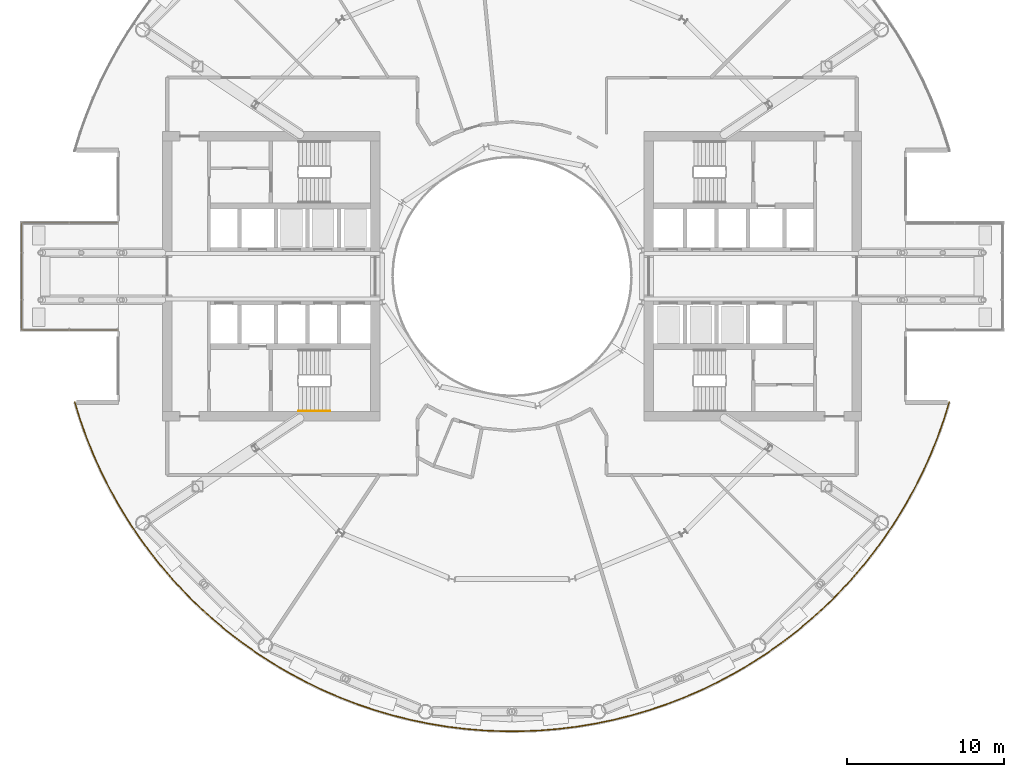
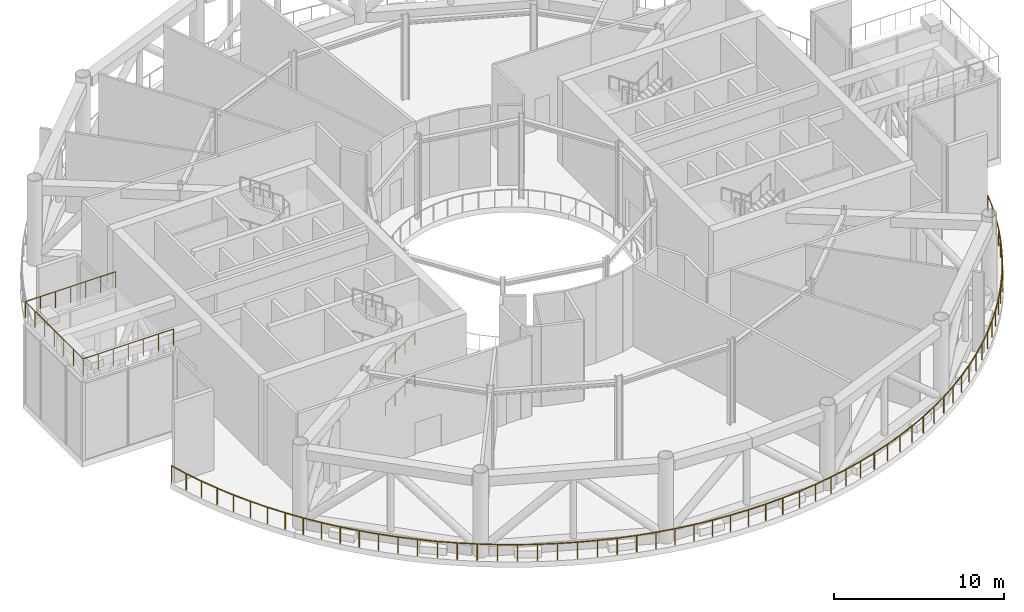
# One storey, part 20 of 25: 4 railings.
"""IFC4 building model written with IfcOpenShell, lengths in metres."""

from ifc_helpers import new_model, si_unit, direction, frame, origin, origin_2d, place, context, subcontext, project, spatial, circle, extrude, material, type_object, element, save


model = new_model("IFC4")

# Units and contexts
model_context = context("Model", 3, precision=1e-05, world=origin(), true_north=direction((0.0, 1.0)))
body_context = subcontext(model_context, "Body", "Model", "MODEL_VIEW")
ifc_project = project(units=[si_unit("LENGTHUNIT", "METRE"), si_unit("AREAUNIT", "SQUARE_METRE"), si_unit("VOLUMEUNIT", "CUBIC_METRE"), si_unit("PLANEANGLEUNIT", "RADIAN"), si_unit("MASSUNIT", "GRAM", prefix="KILO")], contexts=[model_context])

# Site, building, storey
site_placement = place(None, origin())
site = spatial("IfcSite", under=ifc_project, at=site_placement, CompositionType="ELEMENT")
building_placement = place(site_placement, origin())
building = spatial("IfcBuilding", under=site, at=building_placement, Name="Maasbend Ring Residences", CompositionType="ELEMENT")
storey_placement = place(building_placement, frame((0.0, 0.0, 139.10009765625)))
storey = spatial("IfcBuildingStorey", under=building, at=storey_placement, Name="L40", CompositionType="ELEMENT", Elevation=139.10009765625)

# Railings
ifc_material_1 = material(Name="Stainless steel 316 and glass", Category="steel")
railing_type_1 = type_object("IfcRailingType", Name="RL-GUARD", PredefinedType="GUARDRAIL", material=ifc_material_1)
railing_1_placement = place(storey_placement, frame((-27.778564453125, -7.972412109375, 0.0)))
element("IfcRailing", 1, at=railing_1_placement, inside=storey, type_object=railing_type_1, Name="Garden guard outer 2", PredefinedType="GUARDRAIL", context=body_context, shape_type="SweptSolid", body=[
    extrude(circle(Radius=0.02490234375, at=origin_2d()), frame((0.0, 0.0, 1.1748046875), z_axis=(0.295504624123, -0.95534130923, 0.0), x_axis=(0.95534130923, 0.295504624123, 0.0)), (0.0, 0.0, 1.0), 1.184814453125),
    extrude(circle(Radius=0.02490234375, at=origin_2d()), frame((0.35009765625, -1.1318359375, 1.1748046875), z_axis=(0.334285842511, -0.94247173724, 0.0), x_axis=(0.94247173724, 0.334285842511, 0.0)), (0.0, 0.0, 1.0), 1.1845703125),
    extrude(circle(Radius=0.02490234375, at=origin_2d()), frame((0.74609375, -2.248291015625, 1.1748046875), z_axis=(0.372847180885, -0.927892763042, 0.0), x_axis=(0.927892763042, 0.372847180885, 0.0)), (0.0, 0.0, 1.0), 1.1845703125),
    extrude(circle(Radius=0.02490234375, at=origin_2d()), frame((1.187744140625, -3.347412109375, 1.1748046875), z_axis=(0.410493199792, -0.911863659175, 0.0), x_axis=(0.911863659175, 0.410493199792, 0.0)), (0.0, 0.0, 1.0), 1.184814453125),
    extrude(circle(Radius=0.02490234375, at=origin_2d()), frame((1.674072265625, -4.427734375, 1.1748046875), z_axis=(0.447460908245, -0.894303491882, 0.0), x_axis=(0.894303491882, 0.447460908245, 0.0)), (0.0, 0.0, 1.0), 1.1845703125),
    extrude(circle(Radius=0.02490234375, at=origin_2d()), frame((2.2041015625, -5.487060546875, 1.1748046875), z_axis=(0.483839805506, -0.875156581766, 0.0), x_axis=(0.875156581766, 0.483839805506, 0.0)), (0.0, 0.0, 1.0), 1.184814453125),
    extrude(circle(Radius=0.02490234375, at=origin_2d()), frame((2.77734375, -6.52392578125, 1.1748046875), z_axis=(0.51915559987, -0.854679743017, 0.0), x_axis=(0.854679743017, 0.51915559987, 0.0)), (0.0, 0.0, 1.0), 1.1845703125),
    extrude(circle(Radius=0.02490234375, at=origin_2d()), frame((3.392333984375, -7.536376953125, 1.1748046875), z_axis=(0.553796190877, -0.832652255729, 0.0), x_axis=(0.832652255729, 0.553796190877, 0.0)), (0.0, 0.0, 1.0), 1.1845703125),
    extrude(circle(Radius=0.02490234375, at=origin_2d()), frame((4.04833984375, -8.522705078125, 1.1748046875), z_axis=(0.58749759803, -0.809225909317, 0.0), x_axis=(0.809225909317, 0.58749759803, 0.0)), (0.0, 0.0, 1.0), 1.184814453125),
    extrude(circle(Radius=0.02490234375, at=origin_2d()), frame((4.744384765625, -9.4814453125, 1.1748046875), z_axis=(0.620185444157, -0.78445523445, 0.0), x_axis=(0.78445523445, 0.620185444157, 0.0)), (0.0, 0.0, 1.0), 1.1845703125),
    extrude(circle(Radius=0.02490234375, at=origin_2d()), frame((5.47900390625, -10.41064453125, 1.1748046875), z_axis=(0.65182600946, -0.758368547206, 0.0), x_axis=(0.758368547206, 0.65182600946, 0.0)), (0.0, 0.0, 1.0), 1.184814453125),
    extrude(circle(Radius=0.02490234375, at=origin_2d()), frame((6.251220703125, -11.30908203125, 1.1748046875), z_axis=(0.682156690758, -0.731206023809, 0.0), x_axis=(0.731206023809, 0.682156690758, 0.0)), (0.0, 0.0, 1.0), 1.1845703125),
    extrude(circle(Radius=0.02490234375, at=origin_2d()), frame((7.059326171875, -12.17529296875, 1.1748046875), z_axis=(0.711830937603, -0.702350849841, 0.0), x_axis=(0.702350849841, 0.711830937603, 0.0)), (0.0, 0.0, 1.0), 1.1845703125),
    extrude(circle(Radius=0.02490234375, at=origin_2d()), frame((7.902587890625, -13.00732421875, 1.1748046875), z_axis=(0.739800189204, -0.672826634471, 0.0), x_axis=(0.672826634471, 0.739800189204, 0.0)), (0.0, 0.0, 1.0), 1.184814453125),
    extrude(circle(Radius=0.02490234375, at=origin_2d()), frame((8.779052734375, -13.804443359375, 1.1748046875), z_axis=(0.766885051085, -0.641784479731, 0.0), x_axis=(0.641784479731, 0.766885051085, 0.0)), (0.0, 0.0, 1.0), 1.1845703125),
    extrude(circle(Radius=0.02490234375, at=origin_2d()), frame((9.6875, -14.564697265625, 1.1748046875), z_axis=(0.792493715501, -0.609880079107, 0.0), x_axis=(0.609880079107, 0.792493715501, 0.0)), (0.0, 0.0, 1.0), 1.1845703125),
    extrude(circle(Radius=0.02490234375, at=origin_2d()), frame((10.626220703125, -15.287109375, 1.1748046875), z_axis=(0.816785089041, -0.576942040695, 0.0), x_axis=(0.576942040695, 0.816785089041, 0.0)), (0.0, 0.0, 1.0), 1.184814453125),
    extrude(circle(Radius=0.02490234375, at=origin_2d()), frame((11.593994140625, -15.970703125, 1.1748046875), z_axis=(0.839829939632, -0.542849585519, 0.0), x_axis=(0.542849585519, 0.839829939632, 0.0)), (0.0, 0.0, 1.0), 1.1845703125),
    extrude(circle(Radius=0.02490234375, at=origin_2d()), frame((12.5888671875, -16.61376953125, 1.1748046875), z_axis=(0.861324276781, -0.508055597575, 0.0), x_axis=(0.508055597575, 0.861324276781, 0.0)), (0.0, 0.0, 1.0), 1.1845703125),
    extrude(circle(Radius=0.02490234375, at=origin_2d()), frame((13.609130859375, -17.215576171875, 1.1748046875), z_axis=(0.881415624836, -0.472341503887, 0.0), x_axis=(0.472341503887, 0.881415624836, 0.0)), (0.0, 0.0, 1.0), 1.1845703125),
    extrude(circle(Radius=0.02490234375, at=origin_2d()), frame((14.6533203125, -17.775146484375, 1.1748046875), z_axis=(0.900002799964, -0.435884113104, 0.0), x_axis=(0.435884113104, 0.900002799964, 0.0)), (0.0, 0.0, 1.0), 1.1845703125),
    extrude(circle(Radius=0.02490234375, at=origin_2d()), frame((15.719482421875, -18.29150390625, 1.1748046875), z_axis=(0.917129024526, -0.398590456951, 0.0), x_axis=(0.398590456951, 0.917129024526, 0.0)), (0.0, 0.0, 1.0), 1.1845703125),
    extrude(circle(Radius=0.02490234375, at=origin_2d()), frame((16.805908203125, -18.763671875, 1.1748046875), z_axis=(0.932706782024, -0.360635631582, 0.0), x_axis=(0.360635631582, 0.932706782024, 0.0)), (0.0, 0.0, 1.0), 1.184814453125),
    extrude(circle(Radius=0.02490234375, at=origin_2d()), frame((17.910888671875, -19.19091796875, 1.1748046875), z_axis=(0.946770232419, -0.321910122559, 0.0), x_axis=(0.321910122559, 0.946770232419, 0.0)), (0.0, 0.0, 1.0), 1.1845703125),
    extrude(circle(Radius=0.02490234375, at=origin_2d()), frame((19.032470703125, -19.572265625, 1.1748046875), z_axis=(0.959076230705, -0.283147989039, 0.0), x_axis=(0.283147989039, 0.959076230705, 0.0)), (0.0, 0.0, 1.0), 1.184814453125),
    extrude(circle(Radius=0.02490234375, at=origin_2d()), frame((20.168701171875, -19.90771484375, 1.1748046875), z_axis=(0.969923880017, -0.243408436528, 0.0), x_axis=(0.243408436528, 0.969923880017, 0.0)), (0.0, 0.0, 1.0), 1.1845703125),
    extrude(circle(Radius=0.02490234375, at=origin_2d()), frame((21.317626953125, -20.196044921875, 1.1748046875), z_axis=(0.979054075839, -0.203600384536, 0.0), x_axis=(0.203600384536, 0.979054075839, 0.0)), (0.0, 0.0, 1.0), 1.184814453125),
    extrude(circle(Radius=0.02490234375, at=origin_2d()), frame((22.4775390625, -20.437255859375, 1.1748046875), z_axis=(0.986588187234, -0.163229129787, 0.0), x_axis=(0.163229129787, 0.986588187234, 0.0)), (0.0, 0.0, 1.0), 1.1845703125),
    extrude(circle(Radius=0.02490234375, at=origin_2d()), frame((23.646240234375, -20.630615234375, 1.1748046875), z_axis=(0.992454401235, -0.122614279222, 0.0), x_axis=(0.122614279222, 0.992454401235, 0.0)), (0.0, 0.0, 1.0), 1.184814453125),
    extrude(circle(Radius=0.02490234375, at=origin_2d()), frame((24.822021484375, -20.77587890625, 1.1748046875), z_axis=(0.996630509683, -0.082022113907, 0.0), x_axis=(0.082022113907, 0.996630509683, 0.0)), (0.0, 0.0, 1.0), 1.1845703125),
    extrude(circle(Radius=0.02490234375, at=origin_2d()), frame((26.002685546875, -20.873046875, 1.1748046875), z_axis=(0.999158599932, -0.041013317118, 0.0), x_axis=(0.041013317118, 0.999158599932, 0.0)), (0.0, 0.0, 1.0), 1.1845703125),
    extrude(circle(Radius=0.02490234375, at=origin_2d()), frame((27.186279296875, -20.921630859375, 1.1748046875), z_axis=(1.0, 0.0, 0.0), x_axis=(0.0, 1.0, 0.0)), (0.0, 0.0, 1.0), 1.1845703125),
    extrude(circle(Radius=0.02490234375, at=origin_2d()), frame((28.370849609375, -20.921630859375, 1.1748046875), z_axis=(0.999158599932, 0.041013317118, 0.0), x_axis=(-0.041013317118, 0.999158599932, 0.0)), (0.0, 0.0, 1.0), 1.1845703125),
    extrude(circle(Radius=0.02490234375, at=origin_2d()), frame((29.554443359375, -20.873046875, 1.1748046875), z_axis=(0.996630509683, 0.082022113907, 0.0), x_axis=(-0.082022113907, 0.996630509683, 0.0)), (0.0, 0.0, 1.0), 1.1845703125),
    extrude(circle(Radius=0.02490234375, at=origin_2d()), frame((30.735107421875, -20.77587890625, 1.1748046875), z_axis=(0.992454401235, 0.122614279222, 0.0), x_axis=(-0.122614279222, 0.992454401235, 0.0)), (0.0, 0.0, 1.0), 1.184814453125),
    extrude(circle(Radius=0.02490234375, at=origin_2d()), frame((31.910888671875, -20.630615234375, 1.1748046875), z_axis=(0.986588187234, 0.163229129787, 0.0), x_axis=(-0.163229129787, 0.986588187234, 0.0)), (0.0, 0.0, 1.0), 1.1845703125),
    extrude(circle(Radius=0.02490234375, at=origin_2d()), frame((33.07958984375, -20.437255859375, 1.1748046875), z_axis=(0.979054075839, 0.203600384536, 0.0), x_axis=(-0.203600384536, 0.979054075839, 0.0)), (0.0, 0.0, 1.0), 1.184814453125),
    extrude(circle(Radius=0.02490234375, at=origin_2d()), frame((34.239501953125, -20.196044921875, 1.1748046875), z_axis=(0.969923880017, 0.243408436528, 0.0), x_axis=(-0.243408436528, 0.969923880017, 0.0)), (0.0, 0.0, 1.0), 1.1845703125),
    extrude(circle(Radius=0.02490234375, at=origin_2d()), frame((35.388427734375, -19.90771484375, 1.1748046875), z_axis=(0.959076230705, 0.283147989039, 0.0), x_axis=(-0.283147989039, 0.959076230705, 0.0)), (0.0, 0.0, 1.0), 1.184814453125),
    extrude(circle(Radius=0.02490234375, at=origin_2d()), frame((36.524658203125, -19.572265625, 1.1748046875), z_axis=(0.946770232419, 0.321910122559, 0.0), x_axis=(-0.321910122559, 0.946770232419, 0.0)), (0.0, 0.0, 1.0), 1.1845703125),
    extrude(circle(Radius=0.02490234375, at=origin_2d()), frame((37.646240234375, -19.19091796875, 1.1748046875), z_axis=(0.932706782024, 0.360635631582, 0.0), x_axis=(-0.360635631582, 0.932706782024, 0.0)), (0.0, 0.0, 1.0), 1.184814453125),
    extrude(circle(Radius=0.02490234375, at=origin_2d()), frame((38.751220703125, -18.763671875, 1.1748046875), z_axis=(0.917129024526, 0.398590456951, 0.0), x_axis=(-0.398590456951, 0.917129024526, 0.0)), (0.0, 0.0, 1.0), 1.1845703125),
    extrude(circle(Radius=0.02490234375, at=origin_2d()), frame((39.837646484375, -18.29150390625, 1.1748046875), z_axis=(0.900002799964, 0.435884113104, 0.0), x_axis=(-0.435884113104, 0.900002799964, 0.0)), (0.0, 0.0, 1.0), 1.1845703125),
    extrude(circle(Radius=0.02490234375, at=origin_2d()), frame((40.90380859375, -17.775146484375, 1.1748046875), z_axis=(0.881415624836, 0.472341503887, 0.0), x_axis=(-0.472341503887, 0.881415624836, 0.0)), (0.0, 0.0, 1.0), 1.1845703125),
    extrude(circle(Radius=0.02490234375, at=origin_2d()), frame((41.947998046875, -17.215576171875, 1.1748046875), z_axis=(0.861324276781, 0.508055597575, 0.0), x_axis=(-0.508055597575, 0.861324276781, 0.0)), (0.0, 0.0, 1.0), 1.1845703125),
    extrude(circle(Radius=0.02490234375, at=origin_2d()), frame((42.96826171875, -16.61376953125, 1.1748046875), z_axis=(0.839829939632, 0.542849585519, 0.0), x_axis=(-0.542849585519, 0.839829939632, 0.0)), (0.0, 0.0, 1.0), 1.1845703125),
    extrude(circle(Radius=0.02490234375, at=origin_2d()), frame((43.963134765625, -15.970703125, 1.1748046875), z_axis=(0.816785089041, 0.576942040695, 0.0), x_axis=(-0.576942040695, 0.816785089041, 0.0)), (0.0, 0.0, 1.0), 1.184814453125),
    extrude(circle(Radius=0.02490234375, at=origin_2d()), frame((44.930908203125, -15.287109375, 1.1748046875), z_axis=(0.792493715501, 0.609880079107, 0.0), x_axis=(-0.609880079107, 0.792493715501, 0.0)), (0.0, 0.0, 1.0), 1.1845703125),
    extrude(circle(Radius=0.02490234375, at=origin_2d()), frame((45.86962890625, -14.564697265625, 1.1748046875), z_axis=(0.766885051085, 0.641784479731, 0.0), x_axis=(-0.641784479731, 0.766885051085, 0.0)), (0.0, 0.0, 1.0), 1.1845703125),
    extrude(circle(Radius=0.02490234375, at=origin_2d()), frame((46.778076171875, -13.804443359375, 1.1748046875), z_axis=(0.739800189204, 0.672826634471, 0.0), x_axis=(-0.672826634471, 0.739800189204, 0.0)), (0.0, 0.0, 1.0), 1.184814453125),
    extrude(circle(Radius=0.02490234375, at=origin_2d()), frame((47.654541015625, -13.00732421875, 1.1748046875), z_axis=(0.711830937603, 0.702350849841, 0.0), x_axis=(-0.702350849841, 0.711830937603, 0.0)), (0.0, 0.0, 1.0), 1.1845703125),
    extrude(circle(Radius=0.02490234375, at=origin_2d()), frame((48.497802734375, -12.17529296875, 1.1748046875), z_axis=(0.682156690758, 0.731206023809, 0.0), x_axis=(-0.731206023809, 0.682156690758, 0.0)), (0.0, 0.0, 1.0), 1.1845703125),
    extrude(circle(Radius=0.02490234375, at=origin_2d()), frame((49.305908203125, -11.30908203125, 1.1748046875), z_axis=(0.65182600946, 0.758368547206, 0.0), x_axis=(-0.758368547206, 0.65182600946, 0.0)), (0.0, 0.0, 1.0), 1.184814453125),
    extrude(circle(Radius=0.02490234375, at=origin_2d()), frame((50.078125, -10.41064453125, 1.1748046875), z_axis=(0.620185444157, 0.78445523445, 0.0), x_axis=(-0.78445523445, 0.620185444157, 0.0)), (0.0, 0.0, 1.0), 1.1845703125),
    extrude(circle(Radius=0.02490234375, at=origin_2d()), frame((50.812744140625, -9.4814453125, 1.1748046875), z_axis=(0.58749759803, 0.809225909317, 0.0), x_axis=(-0.809225909317, 0.58749759803, 0.0)), (0.0, 0.0, 1.0), 1.184814453125),
    extrude(circle(Radius=0.02490234375, at=origin_2d()), frame((51.5087890625, -8.522705078125, 1.1748046875), z_axis=(0.553796190877, 0.832652255729, 0.0), x_axis=(-0.832652255729, 0.553796190877, 0.0)), (0.0, 0.0, 1.0), 1.1845703125),
    extrude(circle(Radius=0.02490234375, at=origin_2d()), frame((52.164794921875, -7.536376953125, 1.1748046875), z_axis=(0.51915559987, 0.854679743017, 0.0), x_axis=(-0.854679743017, 0.51915559987, 0.0)), (0.0, 0.0, 1.0), 1.1845703125),
    extrude(circle(Radius=0.02490234375, at=origin_2d()), frame((52.77978515625, -6.52392578125, 1.1748046875), z_axis=(0.483839805506, 0.875156581766, 0.0), x_axis=(-0.875156581766, 0.483839805506, 0.0)), (0.0, 0.0, 1.0), 1.184814453125),
    extrude(circle(Radius=0.02490234375, at=origin_2d()), frame((53.35302734375, -5.487060546875, 1.1748046875), z_axis=(0.447460908245, 0.894303491882, 0.0), x_axis=(-0.894303491882, 0.447460908245, 0.0)), (0.0, 0.0, 1.0), 1.1845703125),
    extrude(circle(Radius=0.02490234375, at=origin_2d()), frame((53.883056640625, -4.427734375, 1.1748046875), z_axis=(0.410493199792, 0.911863659175, 0.0), x_axis=(-0.911863659175, 0.410493199792, 0.0)), (0.0, 0.0, 1.0), 1.184814453125),
    extrude(circle(Radius=0.02490234375, at=origin_2d()), frame((54.369384765625, -3.347412109375, 1.1748046875), z_axis=(0.372847180885, 0.927892763042, 0.0), x_axis=(-0.927892763042, 0.372847180885, 0.0)), (0.0, 0.0, 1.0), 1.1845703125),
    extrude(circle(Radius=0.02490234375, at=origin_2d()), frame((54.81103515625, -2.248291015625, 1.1748046875), z_axis=(0.334285842511, 0.94247173724, 0.0), x_axis=(-0.94247173724, 0.334285842511, 0.0)), (0.0, 0.0, 1.0), 1.1845703125),
    extrude(circle(Radius=0.02490234375, at=origin_2d()), frame((55.20703125, -1.1318359375, 1.1748046875), z_axis=(0.295504624123, 0.95534130923, 0.0), x_axis=(-0.95534130923, 0.295504624123, 0.0)), (0.0, 0.0, 1.0), 1.184814453125),
    extrude(circle(Radius=0.02001953125, at=origin_2d()), origin(), (0.0, 0.0, 1.0), 1.14990234375),
    extrude(circle(Radius=0.02001953125, at=origin_2d()), frame((0.35009765625, -1.1318359375, 0.0)), (0.0, 0.0, 1.0), 1.14990234375),
    extrude(circle(Radius=0.02001953125, at=origin_2d()), frame((0.74609375, -2.248291015625, 0.0)), (0.0, 0.0, 1.0), 1.14990234375),
    extrude(circle(Radius=0.02001953125, at=origin_2d()), frame((1.187744140625, -3.347412109375, 0.0)), (0.0, 0.0, 1.0), 1.14990234375),
    extrude(circle(Radius=0.02001953125, at=origin_2d()), frame((1.674072265625, -4.427734375, 0.0)), (0.0, 0.0, 1.0), 1.14990234375),
    extrude(circle(Radius=0.02001953125, at=origin_2d()), frame((2.2041015625, -5.487060546875, 0.0)), (0.0, 0.0, 1.0), 1.14990234375),
    extrude(circle(Radius=0.02001953125, at=origin_2d()), frame((2.77734375, -6.52392578125, 0.0)), (0.0, 0.0, 1.0), 1.14990234375),
    extrude(circle(Radius=0.02001953125, at=origin_2d()), frame((3.392333984375, -7.536376953125, 0.0)), (0.0, 0.0, 1.0), 1.14990234375),
    extrude(circle(Radius=0.02001953125, at=origin_2d()), frame((4.04833984375, -8.522705078125, 0.0)), (0.0, 0.0, 1.0), 1.14990234375),
    extrude(circle(Radius=0.02001953125, at=origin_2d()), frame((4.744384765625, -9.4814453125, 0.0)), (0.0, 0.0, 1.0), 1.14990234375),
    extrude(circle(Radius=0.02001953125, at=origin_2d()), frame((5.47900390625, -10.41064453125, 0.0)), (0.0, 0.0, 1.0), 1.14990234375),
    extrude(circle(Radius=0.02001953125, at=origin_2d()), frame((6.251220703125, -11.30908203125, 0.0)), (0.0, 0.0, 1.0), 1.14990234375),
    extrude(circle(Radius=0.02001953125, at=origin_2d()), frame((7.059326171875, -12.17529296875, 0.0)), (0.0, 0.0, 1.0), 1.14990234375),
    extrude(circle(Radius=0.02001953125, at=origin_2d()), frame((7.902587890625, -13.00732421875, 0.0)), (0.0, 0.0, 1.0), 1.14990234375),
    extrude(circle(Radius=0.02001953125, at=origin_2d()), frame((8.779052734375, -13.804443359375, 0.0)), (0.0, 0.0, 1.0), 1.14990234375),
    extrude(circle(Radius=0.02001953125, at=origin_2d()), frame((9.6875, -14.564697265625, 0.0)), (0.0, 0.0, 1.0), 1.14990234375),
    extrude(circle(Radius=0.02001953125, at=origin_2d()), frame((10.626220703125, -15.287109375, 0.0)), (0.0, 0.0, 1.0), 1.14990234375),
    extrude(circle(Radius=0.02001953125, at=origin_2d()), frame((11.593994140625, -15.970703125, 0.0)), (0.0, 0.0, 1.0), 1.14990234375),
    extrude(circle(Radius=0.02001953125, at=origin_2d()), frame((12.5888671875, -16.61376953125, 0.0)), (0.0, 0.0, 1.0), 1.14990234375),
    extrude(circle(Radius=0.02001953125, at=origin_2d()), frame((13.609130859375, -17.215576171875, 0.0)), (0.0, 0.0, 1.0), 1.14990234375),
    extrude(circle(Radius=0.02001953125, at=origin_2d()), frame((14.6533203125, -17.775146484375, 0.0)), (0.0, 0.0, 1.0), 1.14990234375),
    extrude(circle(Radius=0.02001953125, at=origin_2d()), frame((15.719482421875, -18.29150390625, 0.0)), (0.0, 0.0, 1.0), 1.14990234375),
    extrude(circle(Radius=0.02001953125, at=origin_2d()), frame((16.805908203125, -18.763671875, 0.0)), (0.0, 0.0, 1.0), 1.14990234375),
    extrude(circle(Radius=0.02001953125, at=origin_2d()), frame((17.910888671875, -19.19091796875, 0.0)), (0.0, 0.0, 1.0), 1.14990234375),
    extrude(circle(Radius=0.02001953125, at=origin_2d()), frame((19.032470703125, -19.572265625, 0.0)), (0.0, 0.0, 1.0), 1.14990234375),
    extrude(circle(Radius=0.02001953125, at=origin_2d()), frame((20.168701171875, -19.90771484375, 0.0)), (0.0, 0.0, 1.0), 1.14990234375),
    extrude(circle(Radius=0.02001953125, at=origin_2d()), frame((21.317626953125, -20.196044921875, 0.0)), (0.0, 0.0, 1.0), 1.14990234375),
    extrude(circle(Radius=0.02001953125, at=origin_2d()), frame((22.4775390625, -20.437255859375, 0.0)), (0.0, 0.0, 1.0), 1.14990234375),
    extrude(circle(Radius=0.02001953125, at=origin_2d()), frame((23.646240234375, -20.630615234375, 0.0)), (0.0, 0.0, 1.0), 1.14990234375),
    extrude(circle(Radius=0.02001953125, at=origin_2d()), frame((24.822021484375, -20.77587890625, 0.0)), (0.0, 0.0, 1.0), 1.14990234375),
    extrude(circle(Radius=0.02001953125, at=origin_2d()), frame((26.002685546875, -20.873046875, 0.0)), (0.0, 0.0, 1.0), 1.14990234375),
    extrude(circle(Radius=0.02001953125, at=origin_2d()), frame((27.186279296875, -20.921630859375, 0.0)), (0.0, 0.0, 1.0), 1.14990234375),
    extrude(circle(Radius=0.02001953125, at=origin_2d()), frame((28.370849609375, -20.921630859375, 0.0)), (0.0, 0.0, 1.0), 1.14990234375),
    extrude(circle(Radius=0.02001953125, at=origin_2d()), frame((29.554443359375, -20.873046875, 0.0)), (0.0, 0.0, 1.0), 1.14990234375),
    extrude(circle(Radius=0.02001953125, at=origin_2d()), frame((30.735107421875, -20.77587890625, 0.0)), (0.0, 0.0, 1.0), 1.14990234375),
    extrude(circle(Radius=0.02001953125, at=origin_2d()), frame((31.910888671875, -20.630615234375, 0.0)), (0.0, 0.0, 1.0), 1.14990234375),
    extrude(circle(Radius=0.02001953125, at=origin_2d()), frame((33.07958984375, -20.437255859375, 0.0)), (0.0, 0.0, 1.0), 1.14990234375),
    extrude(circle(Radius=0.02001953125, at=origin_2d()), frame((34.239501953125, -20.196044921875, 0.0)), (0.0, 0.0, 1.0), 1.14990234375),
    extrude(circle(Radius=0.02001953125, at=origin_2d()), frame((35.388427734375, -19.90771484375, 0.0)), (0.0, 0.0, 1.0), 1.14990234375),
    extrude(circle(Radius=0.02001953125, at=origin_2d()), frame((36.524658203125, -19.572265625, 0.0)), (0.0, 0.0, 1.0), 1.14990234375),
    extrude(circle(Radius=0.02001953125, at=origin_2d()), frame((37.646240234375, -19.19091796875, 0.0)), (0.0, 0.0, 1.0), 1.14990234375),
    extrude(circle(Radius=0.02001953125, at=origin_2d()), frame((38.751220703125, -18.763671875, 0.0)), (0.0, 0.0, 1.0), 1.14990234375),
    extrude(circle(Radius=0.02001953125, at=origin_2d()), frame((39.837646484375, -18.29150390625, 0.0)), (0.0, 0.0, 1.0), 1.14990234375),
    extrude(circle(Radius=0.02001953125, at=origin_2d()), frame((40.90380859375, -17.775146484375, 0.0)), (0.0, 0.0, 1.0), 1.14990234375),
    extrude(circle(Radius=0.02001953125, at=origin_2d()), frame((41.947998046875, -17.215576171875, 0.0)), (0.0, 0.0, 1.0), 1.14990234375),
    extrude(circle(Radius=0.02001953125, at=origin_2d()), frame((42.96826171875, -16.61376953125, 0.0)), (0.0, 0.0, 1.0), 1.14990234375),
    extrude(circle(Radius=0.02001953125, at=origin_2d()), frame((43.963134765625, -15.970703125, 0.0)), (0.0, 0.0, 1.0), 1.14990234375),
    extrude(circle(Radius=0.02001953125, at=origin_2d()), frame((44.930908203125, -15.287109375, 0.0)), (0.0, 0.0, 1.0), 1.14990234375),
    extrude(circle(Radius=0.02001953125, at=origin_2d()), frame((45.86962890625, -14.564697265625, 0.0)), (0.0, 0.0, 1.0), 1.14990234375),
    extrude(circle(Radius=0.02001953125, at=origin_2d()), frame((46.778076171875, -13.804443359375, 0.0)), (0.0, 0.0, 1.0), 1.14990234375),
    extrude(circle(Radius=0.02001953125, at=origin_2d()), frame((47.654541015625, -13.00732421875, 0.0)), (0.0, 0.0, 1.0), 1.14990234375),
    extrude(circle(Radius=0.02001953125, at=origin_2d()), frame((48.497802734375, -12.17529296875, 0.0)), (0.0, 0.0, 1.0), 1.14990234375),
    extrude(circle(Radius=0.02001953125, at=origin_2d()), frame((49.305908203125, -11.30908203125, 0.0)), (0.0, 0.0, 1.0), 1.14990234375),
    extrude(circle(Radius=0.02001953125, at=origin_2d()), frame((50.078125, -10.41064453125, 0.0)), (0.0, 0.0, 1.0), 1.14990234375),
    extrude(circle(Radius=0.02001953125, at=origin_2d()), frame((50.812744140625, -9.4814453125, 0.0)), (0.0, 0.0, 1.0), 1.14990234375),
    extrude(circle(Radius=0.02001953125, at=origin_2d()), frame((51.5087890625, -8.522705078125, 0.0)), (0.0, 0.0, 1.0), 1.14990234375),
    extrude(circle(Radius=0.02001953125, at=origin_2d()), frame((52.164794921875, -7.536376953125, 0.0)), (0.0, 0.0, 1.0), 1.14990234375),
    extrude(circle(Radius=0.02001953125, at=origin_2d()), frame((52.77978515625, -6.52392578125, 0.0)), (0.0, 0.0, 1.0), 1.14990234375),
    extrude(circle(Radius=0.02001953125, at=origin_2d()), frame((53.35302734375, -5.487060546875, 0.0)), (0.0, 0.0, 1.0), 1.14990234375),
    extrude(circle(Radius=0.02001953125, at=origin_2d()), frame((53.883056640625, -4.427734375, 0.0)), (0.0, 0.0, 1.0), 1.14990234375),
    extrude(circle(Radius=0.02001953125, at=origin_2d()), frame((54.369384765625, -3.347412109375, 0.0)), (0.0, 0.0, 1.0), 1.14990234375),
    extrude(circle(Radius=0.02001953125, at=origin_2d()), frame((54.81103515625, -2.248291015625, 0.0)), (0.0, 0.0, 1.0), 1.14990234375),
    extrude(circle(Radius=0.02001953125, at=origin_2d()), frame((55.20703125, -1.1318359375, 0.0)), (0.0, 0.0, 1.0), 1.14990234375),
    extrude(circle(Radius=0.02001953125, at=origin_2d()), frame((55.55712890625, 0.0, 0.0)), (0.0, 0.0, 1.0), 1.14990234375),
])
railing_2_placement = place(storey_placement, frame((-25.0, -3.39990234375, 6.099853515625)))
element("IfcRailing", 2, at=railing_2_placement, inside=storey, type_object=railing_type_1, Name="Roof terrace guard", PredefinedType="GUARDRAIL", context=body_context, shape_type="SweptSolid", body=[
    extrude(circle(Radius=0.02490234375, at=origin_2d()), frame((0.0, 0.0, 1.1748046875), z_axis=(-1.0, 0.0, 0.0), x_axis=(0.0, -1.0, 0.0)), (0.0, 0.0, 1.0), 6.14990234375),
    extrude(circle(Radius=0.02490234375, at=origin_2d()), frame((-6.14990234375, 0.0, 1.1748046875), z_axis=(0.0, 1.0, 0.0), x_axis=(-1.0, 0.0, 0.0)), (0.0, 0.0, 1.0), 6.7998046875),
    extrude(circle(Radius=0.02490234375, at=origin_2d()), frame((-6.14990234375, 6.7998046875, 1.1748046875), z_axis=(1.0, 0.0, 0.0), x_axis=(0.0, 1.0, 0.0)), (0.0, 0.0, 1.0), 6.14990234375),
    extrude(circle(Radius=0.02001953125, at=origin_2d()), origin(), (0.0, 0.0, 1.0), 1.14990234375),
    extrude(circle(Radius=0.02001953125, at=origin_2d()), frame((-1.02490234375, 0.0, 0.0)), (0.0, 0.0, 1.0), 1.14990234375),
    extrude(circle(Radius=0.02001953125, at=origin_2d()), frame((-2.050048828125, 0.0, 0.0)), (0.0, 0.0, 1.0), 1.14990234375),
    extrude(circle(Radius=0.02001953125, at=origin_2d()), frame((-3.074951171875, 0.0, 0.0)), (0.0, 0.0, 1.0), 1.14990234375),
    extrude(circle(Radius=0.02001953125, at=origin_2d()), frame((-4.099853515625, 0.0, 0.0)), (0.0, 0.0, 1.0), 1.14990234375),
    extrude(circle(Radius=0.02001953125, at=origin_2d()), frame((-5.125, 0.0, 0.0)), (0.0, 0.0, 1.0), 1.14990234375),
    extrude(circle(Radius=0.02001953125, at=origin_2d()), frame((-6.14990234375, 0.0, 0.0)), (0.0, 0.0, 1.0), 1.14990234375),
    extrude(circle(Radius=0.02001953125, at=origin_2d()), frame((-6.14990234375, 1.13330078125, 0.0)), (0.0, 0.0, 1.0), 1.14990234375),
    extrude(circle(Radius=0.02001953125, at=origin_2d()), frame((-6.14990234375, 2.2666015625, 0.0)), (0.0, 0.0, 1.0), 1.14990234375),
    extrude(circle(Radius=0.02001953125, at=origin_2d()), frame((-6.14990234375, 3.39990234375, 0.0)), (0.0, 0.0, 1.0), 1.14990234375),
    extrude(circle(Radius=0.02001953125, at=origin_2d()), frame((-6.14990234375, 4.533203125, 0.0)), (0.0, 0.0, 1.0), 1.14990234375),
    extrude(circle(Radius=0.02001953125, at=origin_2d()), frame((-6.14990234375, 5.66650390625, 0.0)), (0.0, 0.0, 1.0), 1.14990234375),
    extrude(circle(Radius=0.02001953125, at=origin_2d()), frame((-6.14990234375, 6.7998046875, 0.0)), (0.0, 0.0, 1.0), 1.14990234375),
    extrude(circle(Radius=0.02001953125, at=origin_2d()), frame((-5.125, 6.7998046875, 0.0)), (0.0, 0.0, 1.0), 1.14990234375),
    extrude(circle(Radius=0.02001953125, at=origin_2d()), frame((-4.099853515625, 6.7998046875, 0.0)), (0.0, 0.0, 1.0), 1.14990234375),
    extrude(circle(Radius=0.02001953125, at=origin_2d()), frame((-3.074951171875, 6.7998046875, 0.0)), (0.0, 0.0, 1.0), 1.14990234375),
    extrude(circle(Radius=0.02001953125, at=origin_2d()), frame((-2.050048828125, 6.7998046875, 0.0)), (0.0, 0.0, 1.0), 1.14990234375),
    extrude(circle(Radius=0.02001953125, at=origin_2d()), frame((-1.02490234375, 6.7998046875, 0.0)), (0.0, 0.0, 1.0), 1.14990234375),
    extrude(circle(Radius=0.02001953125, at=origin_2d()), frame((0.0, 6.7998046875, 0.0)), (0.0, 0.0, 1.0), 1.14990234375),
])
ifc_material_2 = material(Name="Stainless steel 316", Category="steel")
railing_type_2 = type_object("IfcRailingType", Name="STAIR HANDRAIL 900", PredefinedType="HANDRAIL", material=ifc_material_2)
railing_3_placement = place(storey_placement, frame((-13.550048828125, -8.550048828125, 0.16943359375)))
element("IfcRailing", 3, at=railing_3_placement, inside=storey, type_object=railing_type_2, Name="L40 ST-W1 stair handrail 1", PredefinedType="HANDRAIL", context=body_context, shape_type="SweptSolid", body=[
    extrude(circle(Radius=0.02392578125, at=origin_2d()), frame((0.0, 0.0, 0.8759765625), z_axis=(0.827797584762, 0.0, 0.561026878735), x_axis=(0.0, 1.0, 0.0)), (0.0, 0.0, 1.0), 2.416015625),
    extrude(circle(Radius=0.02099609375, at=origin_2d()), origin(), (0.0, 0.0, 1.0), 0.851806640625),
    extrude(circle(Radius=0.02099609375, at=origin_2d()), frame((0.666748046875, 0.0, 0.451904296875)), (0.0, 0.0, 1.0), 0.851806640625),
    extrude(circle(Radius=0.02099609375, at=origin_2d()), frame((1.333251953125, 0.0, 0.903564453125)), (0.0, 0.0, 1.0), 0.851806640625),
    extrude(circle(Radius=0.02099609375, at=origin_2d()), frame((2.0, 0.0, 1.35546875)), (0.0, 0.0, 1.0), 0.851806640625),
])
railing_4_placement = place(storey_placement, frame((-13.550048828125, -8.550048828125, 3.21923828125)))
element("IfcRailing", 4, at=railing_4_placement, inside=storey, type_object=railing_type_2, Name="L40 ST-W1 stair handrail 3", PredefinedType="HANDRAIL", context=body_context, shape_type="SweptSolid", body=[
    extrude(circle(Radius=0.02392578125, at=origin_2d()), frame((0.0, 0.0, 0.8759765625), z_axis=(0.827750655447, 0.0, 0.561096116906), x_axis=(0.0, 1.0, 0.0)), (0.0, 0.0, 1.0), 2.416259765625),
    extrude(circle(Radius=0.02099609375, at=origin_2d()), origin(), (0.0, 0.0, 1.0), 0.851806640625),
    extrude(circle(Radius=0.02099609375, at=origin_2d()), frame((0.666748046875, 0.0, 0.451904296875)), (0.0, 0.0, 1.0), 0.851806640625),
    extrude(circle(Radius=0.02099609375, at=origin_2d()), frame((1.333251953125, 0.0, 0.90380859375)), (0.0, 0.0, 1.0), 0.851806640625),
    extrude(circle(Radius=0.02099609375, at=origin_2d()), frame((2.0, 0.0, 1.355712890625)), (0.0, 0.0, 1.0), 0.851806640625),
])

save(model, "model.ifc")
